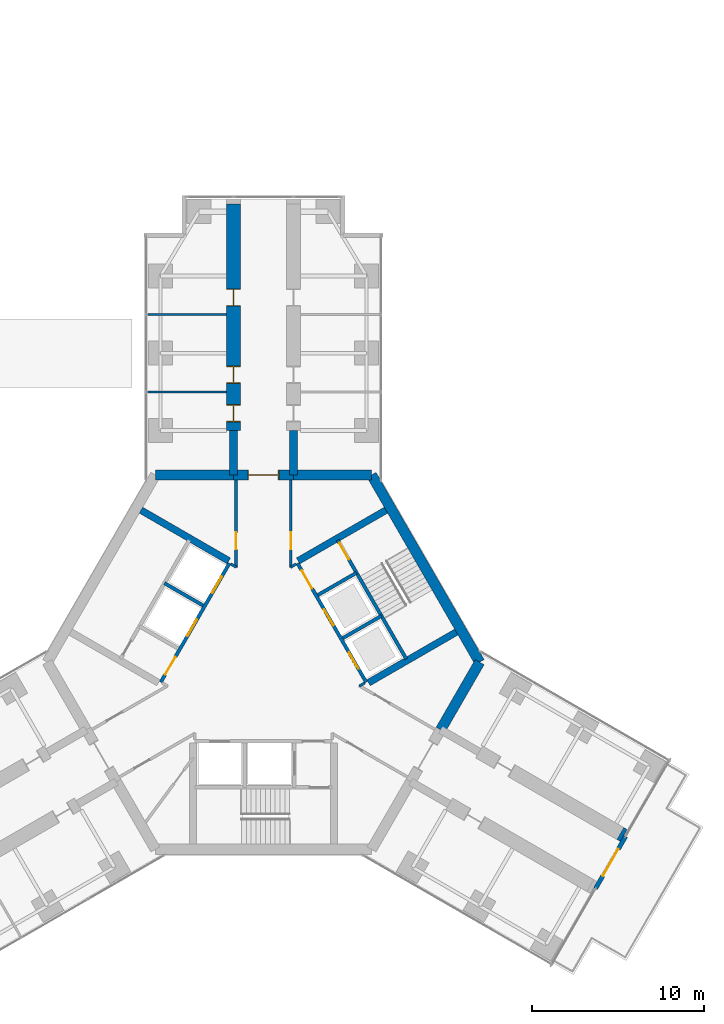
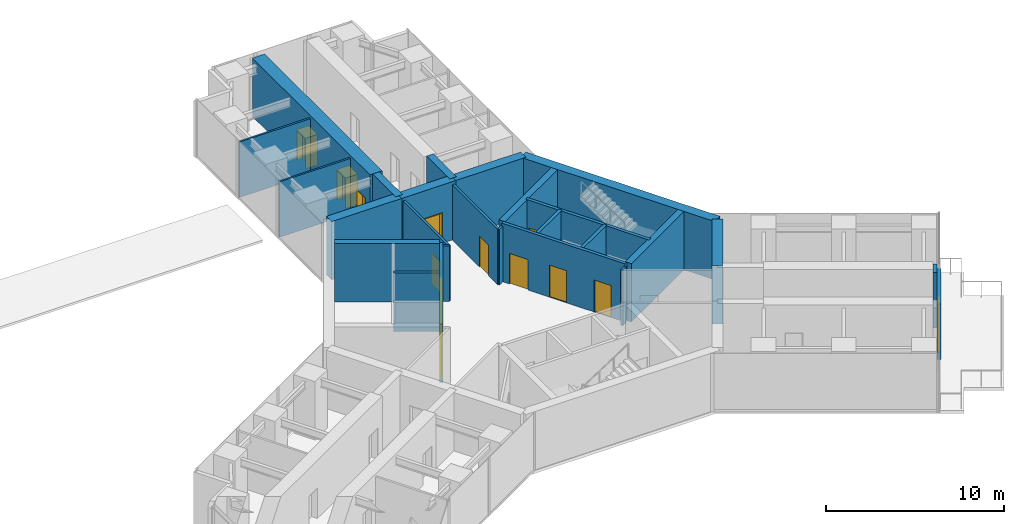
# One storey, part 19 of 22: 26 walls, 14 doors, 14 openings.
"""IFC4 building model written with IfcOpenShell, lengths in metres."""

from ifc_helpers import new_model, si_unit, direction, frame, frame_2d, origin, place, context, subcontext, project, spatial, rectangle, extrude, material, layer, layer_set, type_object, element, fill, save


model = new_model("IFC4")

# Units and contexts
model_context = context("Model", 3, precision=1e-05, world=origin(), true_north=direction((0.0, 1.0)))
body_context = subcontext(model_context, "Body", "Model", "MODEL_VIEW")
ifc_project = project(units=[si_unit("LENGTHUNIT", "METRE"), si_unit("AREAUNIT", "SQUARE_METRE"), si_unit("VOLUMEUNIT", "CUBIC_METRE"), si_unit("PLANEANGLEUNIT", "RADIAN"), si_unit("MASSUNIT", "GRAM", prefix="KILO")], contexts=[model_context])

# Site, building, storey
site_placement = place(None, origin())
site = spatial("IfcSite", under=ifc_project, at=site_placement, CompositionType="ELEMENT")
building_placement = place(site_placement, origin())
building = spatial("IfcBuilding", under=site, at=building_placement, Name="Upepo Twin Towers", CompositionType="ELEMENT")
storey_placement = place(building_placement, frame((0.0, 0.0, 97.5)))
storey = spatial("IfcBuildingStorey", under=building, at=storey_placement, Name="L23", CompositionType="ELEMENT", Elevation=97.5)

# Walls
ifc_material_1 = material(Name="Dense concrete blockwork", Category="masonry")
ifc_layer_1 = layer(ifc_material_1, 0.800048828125)
ifc_layer_set_1 = layer_set([ifc_layer_1], Name="Buttress closer 800, blockwork with fire-stopping to the curtain wall")
wall_type_1 = type_object("IfcWallType", Name="Buttress closer 800, blockwork with fire-stopping to the curtain wall", PredefinedType="PARTITIONING", material=ifc_layer_set_1)
wall_1_placement = place(storey_placement, frame((79.293701171875, -27.984375, 0.0), z_axis=(0.0, 0.0, 1.0), x_axis=(0.865896406789, -0.500223362819, 0.0)))
element("IfcWall", 1, at=wall_1_placement, inside=storey, type_object=wall_type_1, Name="T2 L23 wing C buttress closer L", PredefinedType="PARTITIONING", context=body_context, shape_type="SweptSolid", body=[
    extrude(rectangle(XDim=0.22509765625, YDim=0.800048828125, at=frame_2d((0.112548828125, 0.0))), origin(), (0.0, 0.0, 1.0), 3.800048828125),
])
ifc_material_2 = material(Name="Concrete C60/75", Category="concrete")
ifc_layer_2 = layer(ifc_material_2, 0.449951171875)
ifc_layer_set_2 = layer_set([ifc_layer_2], Name="Concrete C60/75")
wall_type_2 = type_object("IfcWallType", Name="Buttress wall 450 RC", PredefinedType="SHEAR", material=ifc_layer_set_2)
for number, where, z_axis, x_axis, name in (
    (2, (56.75, -7.091552734375, 0.0), (0.0, 0.0, 1.0), (0.0, 1.0, 0.0), "T2 wing A buttress wall L"),
    (3, (60.25, -7.091552734375, 0.0), (0.0, 0.0, 1.0), (0.0, 1.0, 0.0), "T2 wing A buttress wall R"),
):
    element("IfcWall", number, at=place(storey_placement, frame(where, z_axis=z_axis, x_axis=x_axis)), inside=storey, type_object=wall_type_2, Name=name, PredefinedType="SHEAR", context=body_context, shape_type="SweptSolid", body=[
        extrude(rectangle(XDim=2.591552734375, YDim=0.449951171875, at=frame_2d((1.2958984375, 0.0))), origin(), (0.0, 0.0, 1.0), 4.0),
    ])

# Wall, openings, doors
ifc_material_3 = material(Name="Concrete C60/75", Category="concrete")
ifc_layer_3 = layer(ifc_material_3, 0.800048828125)
ifc_layer_set_3 = layer_set([ifc_layer_3], Name="Concrete C60/75")
wall_type_3 = type_object("IfcWallType", Name="Buttress wall 800 RC", PredefinedType="SHEAR", material=ifc_layer_set_3)
wall_2_placement = place(storey_placement, frame((56.75, -4.5, 0.0), z_axis=(0.0, 0.0, 1.0), x_axis=(0.0, 1.0, 0.0)))
wall_2 = element("IfcWall", 4, at=wall_2_placement, inside=storey, type_object=wall_type_3, Name="T2 wing A buttress wall L part 2", PredefinedType="SHEAR", context=body_context, shape_type="SweptSolid", body=[
    extrude(rectangle(XDim=13.199951171875, YDim=0.800048828125, at=frame_2d((6.60009765625, 0.0))), origin(), (0.0, 0.0, 1.0), 4.0),
])
opening_1_placement = place(wall_2_placement, frame((0.5, 0.0, 0.0)))
opening_1 = element("IfcOpeningElement", 5, at=opening_1_placement, cuts=wall_2, Name="Opening D15", PredefinedType="OPENING", context=body_context, shape_type="SweptSolid", body=[
    extrude(rectangle(XDim=1.0, YDim=2.10009765625, at=frame_2d((0.5, 1.050048828125))), frame((0.0, 0.409912109375, 0.0), z_axis=(0.0, -1.0, 0.0), x_axis=(1.0, 0.0, 0.0)), (0.0, 0.0, 1.0), 0.820068359375),
])
opening_2_placement = place(wall_2_placement, frame((2.75, 0.0, 0.0)))
opening_2 = element("IfcOpeningElement", 6, at=opening_2_placement, cuts=wall_2, Name="Opening D15", PredefinedType="OPENING", context=body_context, shape_type="SweptSolid", body=[
    extrude(rectangle(XDim=1.0, YDim=2.10009765625, at=frame_2d((0.5, 1.050048828125))), frame((0.0, 0.409912109375, 0.0), z_axis=(0.0, -1.0, 0.0), x_axis=(1.0, 0.0, 0.0)), (0.0, 0.0, 1.0), 0.820068359375),
])
opening_3_placement = place(wall_2_placement, frame((7.25, 0.0, 0.0)))
opening_3 = element("IfcOpeningElement", 7, at=opening_3_placement, cuts=wall_2, Name="Opening D15", PredefinedType="OPENING", context=body_context, shape_type="SweptSolid", body=[
    extrude(rectangle(XDim=1.0, YDim=2.10009765625, at=frame_2d((0.5, 1.050048828125))), frame((0.0, 0.409912109375, 0.0), z_axis=(0.0, -1.0, 0.0), x_axis=(1.0, 0.0, 0.0)), (0.0, 0.0, 1.0), 0.820068359375),
])
ifc_material_4 = material(Name="Timber doorset", Category="wood")
door_type_1 = type_object("IfcDoorType", Name="Glazed door 1000 FD30", OperationType="SINGLE_SWING_LEFT", PredefinedType="DOOR", material=ifc_material_4)
door_1_placement = place(opening_1_placement, origin())
door_1 = element("IfcDoor", 8, at=door_1_placement, inside=storey, type_object=door_type_1, Name="T2 L23 faculty office door", OperationType="SINGLE_SWING_LEFT", OverallHeight=2.10009765625, OverallWidth=1.0, PredefinedType="DOOR", context=body_context, shape_type="SweptSolid", body=[
    extrude(rectangle(XDim=0.92, YDim=2.06009765625, at=frame_2d((0.5, 1.030029296875))), frame((0.0, 0.02490234375, 0.0), z_axis=(0.0, -1.0, 0.0), x_axis=(1.0, 0.0, 0.0)), (0.0, 0.0, 1.0), 0.050048828125),
    extrude(rectangle(XDim=0.04, YDim=2.10009765625, at=frame_2d((0.02001953125, 1.050048828125))), frame((0.0, 0.39990234375, 0.0), z_axis=(0.0, -1.0, 0.0), x_axis=(1.0, 0.0, 0.0)), (0.0, 0.0, 1.0), 0.799560546875),
    extrude(rectangle(XDim=0.04, YDim=2.10009765625, at=frame_2d((0.97998046875, 1.050048828125))), frame((0.0, 0.39990234375, 0.0), z_axis=(0.0, -1.0, 0.0), x_axis=(1.0, 0.0, 0.0)), (0.0, 0.0, 1.0), 0.799560546875),
    extrude(rectangle(XDim=0.92, YDim=0.04, at=frame_2d((0.5, 2.080078125))), frame((0.0, 0.39990234375, 0.0), z_axis=(0.0, -1.0, 0.0), x_axis=(1.0, 0.0, 0.0)), (0.0, 0.0, 1.0), 0.799560546875),
])
fill(opening_1, door_1)
door_2_placement = place(opening_2_placement, origin())
door_2 = element("IfcDoor", 9, at=door_2_placement, inside=storey, type_object=door_type_1, Name="T2 L23 faculty office door", OperationType="SINGLE_SWING_LEFT", OverallHeight=2.10009765625, OverallWidth=1.0, PredefinedType="DOOR", context=body_context, shape_type="SweptSolid", body=[
    extrude(rectangle(XDim=0.92, YDim=2.06009765625, at=frame_2d((0.5, 1.030029296875))), frame((0.0, 0.02490234375, 0.0), z_axis=(0.0, -1.0, 0.0), x_axis=(1.0, 0.0, 0.0)), (0.0, 0.0, 1.0), 0.050048828125),
    extrude(rectangle(XDim=0.04, YDim=2.10009765625, at=frame_2d((0.02001953125, 1.050048828125))), frame((0.0, 0.39990234375, 0.0), z_axis=(0.0, -1.0, 0.0), x_axis=(1.0, 0.0, 0.0)), (0.0, 0.0, 1.0), 0.799560546875),
    extrude(rectangle(XDim=0.04, YDim=2.10009765625, at=frame_2d((0.97998046875, 1.050048828125))), frame((0.0, 0.39990234375, 0.0), z_axis=(0.0, -1.0, 0.0), x_axis=(1.0, 0.0, 0.0)), (0.0, 0.0, 1.0), 0.799560546875),
    extrude(rectangle(XDim=0.92, YDim=0.04, at=frame_2d((0.5, 2.080078125))), frame((0.0, 0.39990234375, 0.0), z_axis=(0.0, -1.0, 0.0), x_axis=(1.0, 0.0, 0.0)), (0.0, 0.0, 1.0), 0.799560546875),
])
fill(opening_2, door_2)
door_3_placement = place(opening_3_placement, origin())
door_3 = element("IfcDoor", 10, at=door_3_placement, inside=storey, type_object=door_type_1, Name="T2 L23 faculty office door", OperationType="SINGLE_SWING_RIGHT", OverallHeight=2.10009765625, OverallWidth=1.0, PredefinedType="DOOR", context=body_context, shape_type="SweptSolid", body=[
    extrude(rectangle(XDim=0.92, YDim=2.06009765625, at=frame_2d((0.5, 1.030029296875))), frame((0.0, 0.02490234375, 0.0), z_axis=(0.0, -1.0, 0.0), x_axis=(1.0, 0.0, 0.0)), (0.0, 0.0, 1.0), 0.050048828125),
    extrude(rectangle(XDim=0.04, YDim=2.10009765625, at=frame_2d((0.02001953125, 1.050048828125))), frame((0.0, 0.39990234375, 0.0), z_axis=(0.0, -1.0, 0.0), x_axis=(1.0, 0.0, 0.0)), (0.0, 0.0, 1.0), 0.799560546875),
    extrude(rectangle(XDim=0.04, YDim=2.10009765625, at=frame_2d((0.97998046875, 1.050048828125))), frame((0.0, 0.39990234375, 0.0), z_axis=(0.0, -1.0, 0.0), x_axis=(1.0, 0.0, 0.0)), (0.0, 0.0, 1.0), 0.799560546875),
    extrude(rectangle(XDim=0.92, YDim=0.04, at=frame_2d((0.5, 2.080078125))), frame((0.0, 0.39990234375, 0.0), z_axis=(0.0, -1.0, 0.0), x_axis=(1.0, 0.0, 0.0)), (0.0, 0.0, 1.0), 0.799560546875),
])
fill(opening_3, door_3)

# Wall
ifc_material_5 = material(Name="Concrete C60/75", Category="concrete")
ifc_layer_4 = layer(ifc_material_5, 0.60009765625)
ifc_layer_set_4 = layer_set([ifc_layer_4], Name="Concrete C60/75")
wall_type_4 = type_object("IfcWallType", Name="Core wall 600 RC", PredefinedType="SHEAR", material=ifc_layer_set_4)
wall_3_placement = place(storey_placement, frame((64.7978515625, -7.091552734375, 0.0), z_axis=(0.0, 0.0, 1.0), x_axis=(-1.0, 0.0, 0.0)))
element("IfcWall", 11, at=wall_3_placement, inside=storey, type_object=wall_type_4, Name="T2 core wall 000 R", PredefinedType="SHEAR", context=body_context, shape_type="SweptSolid", body=[
    extrude(rectangle(XDim=4.5478515625, YDim=0.60009765625, at=frame_2d((2.27392578125, 0.0))), origin(), (0.0, 0.0, 1.0), 4.0),
])

# Wall, opening, door
wall_4_placement = place(storey_placement, frame((60.25, -7.091552734375, 0.0), z_axis=(0.0, 0.0, 1.0), x_axis=(-1.0, 0.0, 0.0)))
wall_4 = element("IfcWall", 12, at=wall_4_placement, inside=storey, type_object=wall_type_4, Name="T2 core wall 000", PredefinedType="SHEAR", context=body_context, shape_type="SweptSolid", body=[
    extrude(rectangle(XDim=3.5, YDim=0.60009765625, at=frame_2d((1.75, 0.0))), origin(), (0.0, 0.0, 1.0), 4.0),
])
opening_4_placement = place(wall_4_placement, frame((0.85009765625, 0.0, 0.0)))
opening_4 = element("IfcOpeningElement", 13, at=opening_4_placement, cuts=wall_4, Name="Opening D2", PredefinedType="OPENING", context=body_context, shape_type="SweptSolid", body=[
    extrude(rectangle(XDim=1.800048828125, YDim=2.10009765625, at=frame_2d((0.89990234375, 1.050048828125))), frame((0.0, 0.31005859375, 0.0), z_axis=(0.0, -1.0, 0.0), x_axis=(1.0, 0.0, 0.0)), (0.0, 0.0, 1.0), 0.6201171875),
])
ifc_material_6 = material(Name="Timber doorset", Category="wood")
door_type_2 = type_object("IfcDoorType", Name="Corridor double door 1800 FD60", OperationType="DOUBLE_DOOR_DOUBLE_SWING", PredefinedType="DOOR", material=ifc_material_6)
door_4_placement = place(opening_4_placement, origin())
door_4 = element("IfcDoor", 14, at=door_4_placement, inside=storey, type_object=door_type_2, Name="T2 L23 wing A corridor door", OperationType="DOUBLE_DOOR_DOUBLE_SWING", OverallHeight=2.10009765625, OverallWidth=1.800048828125, PredefinedType="DOOR", context=body_context, shape_type="SweptSolid", body=[
    extrude(rectangle(XDim=1.720048828125, YDim=2.06009765625, at=frame_2d((0.89990234375, 1.030029296875))), frame((0.0, 0.02490234375, 0.0), z_axis=(0.0, -1.0, 0.0), x_axis=(1.0, 0.0, 0.0)), (0.0, 0.0, 1.0), 0.050048828125),
    extrude(rectangle(XDim=0.04, YDim=2.10009765625, at=frame_2d((0.02001953125, 1.050048828125))), frame((0.0, 0.2998046875, 0.0), z_axis=(0.0, -1.0, 0.0), x_axis=(1.0, 0.0, 0.0)), (0.0, 0.0, 1.0), 0.599609375),
    extrude(rectangle(XDim=0.04, YDim=2.10009765625, at=frame_2d((1.780029296875, 1.050048828125))), frame((0.0, 0.2998046875, 0.0), z_axis=(0.0, -1.0, 0.0), x_axis=(1.0, 0.0, 0.0)), (0.0, 0.0, 1.0), 0.599609375),
    extrude(rectangle(XDim=1.720048828125, YDim=0.04, at=frame_2d((0.89990234375, 2.080078125))), frame((0.0, 0.2998046875, 0.0), z_axis=(0.0, -1.0, 0.0), x_axis=(1.0, 0.0, 0.0)), (0.0, 0.0, 1.0), 0.599609375),
])
fill(opening_4, door_4)

# Walls
wall_5_placement = place(storey_placement, frame((56.75, -7.091552734375, 0.0), z_axis=(0.0, 0.0, 1.0), x_axis=(-1.0, 0.0, 0.0)))
element("IfcWall", 15, at=wall_5_placement, inside=storey, type_object=wall_type_4, Name="T2 core wall 000 L", PredefinedType="SHEAR", context=body_context, shape_type="SweptSolid", body=[
    extrude(rectangle(XDim=4.5478515625, YDim=0.60009765625, at=frame_2d((2.27392578125, 0.0))), origin(), (0.0, 0.0, 1.0), 4.0),
])
wall_6_placement = place(storey_placement, frame((68.82177734375, -21.938720703125, 0.0), z_axis=(0.0, 0.0, 1.0), x_axis=(0.500024481964, 0.866011268655, 0.0)))
element("IfcWall", 16, at=wall_6_placement, inside=storey, type_object=wall_type_4, Name="T2 core wall 240 L", PredefinedType="SHEAR", context=body_context, shape_type="SweptSolid", body=[
    extrude(rectangle(XDim=4.548095703125, YDim=0.60009765625, at=frame_2d((2.27392578125, 0.0))), origin(), (0.0, 0.0, 1.0), 4.0),
])
wall_7_placement = place(storey_placement, frame((71.095947265625, -18.0, 0.0), z_axis=(0.0, 0.0, 1.0), x_axis=(-0.500005998175, 0.866021940709, 0.0)))
element("IfcWall", 17, at=wall_7_placement, inside=storey, type_object=wall_type_4, Name="T2 core wall 300", PredefinedType="SHEAR", context=body_context, shape_type="SweptSolid", body=[
    extrude(rectangle(XDim=12.595947265625, YDim=0.60009765625, at=frame_2d((6.2978515625, 0.0))), origin(), (0.0, 0.0, 1.0), 4.0),
])
ifc_material_7 = material(Name="Laminated glass in an aluminium frame", Category="aluminium")
ifc_layer_5 = layer(ifc_material_7, 0.1201171875)
ifc_layer_set_5 = layer_set([ifc_layer_5], Name="Glazed partition 120, aluminium framed")
wall_type_5 = type_object("IfcWallType", Name="Glazed partition 120, aluminium framed", PredefinedType="PARTITIONING", material=ifc_layer_set_5)
for number, where, z_axis, x_axis, name in (
    (18, (56.35009765625, -2.25, 0.0), (0.0, 0.0, 1.0), (-1.0, 0.0, 0.0), "T2 partition AL at 15.75"),
    (19, (56.35009765625, 2.25, 0.0), (0.0, 0.0, 1.0), (-1.0, 0.0, 0.0), "T2 partition AL at 20.25"),
):
    element("IfcWall", number, at=place(storey_placement, frame(where, z_axis=z_axis, x_axis=x_axis)), inside=storey, type_object=wall_type_5, Name=name, PredefinedType="PARTITIONING", context=body_context, shape_type="SweptSolid", body=[
        extrude(rectangle(XDim=4.60009765625, YDim=0.1201171875, at=frame_2d((2.300048828125, 0.0))), origin(), (0.0, 0.0, 1.0), 3.800048828125),
    ])

# Wall, opening, door
ifc_material_8 = material(Name="Blockwork with anodised aluminium cladding", Category="masonry")
ifc_layer_6 = layer(ifc_material_8, 0.25)
ifc_layer_set_6 = layer_set([ifc_layer_6], Name="Notch cladding wall 250, pale metal")
wall_type_6 = type_object("IfcWallType", Name="Notch cladding wall 250, pale metal", PredefinedType="STANDARD", material=ifc_layer_set_6)
wall_8_placement = place(storey_placement, frame((77.8466796875, -31.1904296875, 0.0), z_axis=(0.0, 0.0, 1.0), x_axis=(0.500010275428, 0.866019471182, 0.0)))
wall_8 = element("IfcWall", 20, at=wall_8_placement, inside=storey, type_object=wall_type_6, Name="T2 L23 wing C nose wall", PredefinedType="STANDARD", context=body_context, shape_type="SweptSolid", body=[
    extrude(rectangle(XDim=3.5, YDim=0.25, at=frame_2d((1.75, 0.0))), origin(), (0.0, 0.0, 1.0), 3.800048828125),
])
opening_5_placement = place(wall_8_placement, frame((0.85009765625, 0.0, 0.0)))
opening_5 = element("IfcOpeningElement", 21, at=opening_5_placement, cuts=wall_8, Name="Opening D5", PredefinedType="OPENING", context=body_context, shape_type="SweptSolid", body=[
    extrude(rectangle(XDim=1.800048828125, YDim=2.39990234375, at=frame_2d((0.89990234375, 1.199951171875))), frame((0.0, 0.135009765625, 0.0), z_axis=(0.0, -1.0, 0.0), x_axis=(1.0, 0.0, 0.0)), (0.0, 0.0, 1.0), 0.27001953125),
])
ifc_material_9 = material(Name="Aluminium glazed doorset", Category="aluminium")
door_type_3 = type_object("IfcDoorType", Name="Terrace door 1800 glazed", OperationType="DOUBLE_DOOR_DOUBLE_SWING", PredefinedType="DOOR", material=ifc_material_9)
door_5_placement = place(opening_5_placement, origin())
door_5 = element("IfcDoor", 22, at=door_5_placement, inside=storey, type_object=door_type_3, Name="T2 L23 wing C terrace door", OperationType="DOUBLE_DOOR_DOUBLE_SWING", OverallHeight=2.39990234375, OverallWidth=1.800048828125, PredefinedType="DOOR", context=body_context, shape_type="SweptSolid", body=[
    extrude(rectangle(XDim=1.800048828125, YDim=2.39990234375, at=frame_2d((0.89990234375, 1.199951171875))), frame((0.0, 0.02490234375, 0.0), z_axis=(0.0, -1.0, 0.0), x_axis=(1.0, 0.0, 0.0)), (0.0, 0.0, 1.0), 0.050048828125),
])
fill(opening_5, door_5)

# Wall, openings, doors
ifc_material_10 = material(Name="Concrete C40/50", Category="concrete")
ifc_layer_7 = layer(ifc_material_10, 0.199951171875)
ifc_layer_set_7 = layer_set([ifc_layer_7], Name="Concrete C40/50")
wall_type_7 = type_object("IfcWallType", Name="Shaft wall 200 RC", PredefinedType="SHEAR", material=ifc_layer_set_7)
wall_9_placement = place(storey_placement, frame((56.516357421875, -12.23583984375, 0.0), z_axis=(0.0, 0.0, 1.0), x_axis=(-0.49999894854, -0.866026010844, 0.0)))
wall_9 = element("IfcWall", 23, at=wall_9_placement, inside=storey, type_object=wall_type_7, Name="T2 core W60 front wall", PredefinedType="SHEAR", context=body_context, shape_type="SweptSolid", body=[
    extrude(rectangle(XDim=8.0, YDim=0.199951171875, at=frame_2d((4.0, 0.0))), origin(), (0.0, 0.0, 1.0), 4.0),
])
opening_6_placement = place(wall_9_placement, frame((6.300048828125, 0.0, 0.0)))
opening_6 = element("IfcOpeningElement", 24, at=opening_6_placement, cuts=wall_9, Name="Opening D4", PredefinedType="OPENING", context=body_context, shape_type="SweptSolid", body=[
    extrude(rectangle(XDim=1.199951171875, YDim=2.10009765625, at=frame_2d((0.60009765625, 1.050048828125))), frame((0.0, 0.10986328125, 0.0), z_axis=(0.0, -1.0, 0.0), x_axis=(1.0, 0.0, 0.0)), (0.0, 0.0, 1.0), 0.219970703125),
])
opening_7_placement = place(wall_9_placement, frame((0.89990234375, 0.0, 0.0)))
opening_7 = element("IfcOpeningElement", 25, at=opening_7_placement, cuts=wall_9, Name="Opening LD1", PredefinedType="OPENING", context=body_context, shape_type="SweptSolid", body=[
    extrude(rectangle(XDim=1.10009765625, YDim=2.199951171875, at=frame_2d((0.550048828125, 1.10009765625))), frame((0.0, 0.10986328125, 0.0), z_axis=(0.0, -1.0, 0.0), x_axis=(1.0, 0.0, 0.0)), (0.0, 0.0, 1.0), 0.219970703125),
])
opening_8_placement = place(wall_9_placement, frame((3.800048828125, 0.0, 0.0)))
opening_8 = element("IfcOpeningElement", 26, at=opening_8_placement, cuts=wall_9, Name="Opening LD1", PredefinedType="OPENING", context=body_context, shape_type="SweptSolid", body=[
    extrude(rectangle(XDim=1.10009765625, YDim=2.199951171875, at=frame_2d((0.550048828125, 1.10009765625))), frame((0.0, 0.10986328125, 0.0), z_axis=(0.0, -1.0, 0.0), x_axis=(1.0, 0.0, 0.0)), (0.0, 0.0, 1.0), 0.219970703125),
])
ifc_material_11 = material(Name="Steel doorset", Category="steel")
door_type_4 = type_object("IfcDoorType", Name="Lift landing door 1100", OperationType="DOUBLE_DOOR_SLIDING", PredefinedType="DOOR", material=ifc_material_11)
door_6_placement = place(opening_7_placement, origin())
door_6 = element("IfcDoor", 27, at=door_6_placement, inside=storey, type_object=door_type_4, Name="T2 L23 lift EX1 landing door", OperationType="DOUBLE_DOOR_SLIDING", OverallHeight=2.199951171875, OverallWidth=1.10009765625, PredefinedType="DOOR", context=body_context, shape_type="SweptSolid", body=[
    extrude(rectangle(XDim=1.10009765625, YDim=2.199951171875, at=frame_2d((0.550048828125, 1.10009765625))), frame((0.0, 0.02490234375, 0.0), z_axis=(0.0, -1.0, 0.0), x_axis=(1.0, 0.0, 0.0)), (0.0, 0.0, 1.0), 0.050048828125),
])
fill(opening_7, door_6)
door_7_placement = place(opening_8_placement, origin())
door_7 = element("IfcDoor", 28, at=door_7_placement, inside=storey, type_object=door_type_4, Name="T2 L23 lift EX2 landing door", OperationType="DOUBLE_DOOR_SLIDING", OverallHeight=2.199951171875, OverallWidth=1.10009765625, PredefinedType="DOOR", context=body_context, shape_type="SweptSolid", body=[
    extrude(rectangle(XDim=1.10009765625, YDim=2.199951171875, at=frame_2d((0.550048828125, 1.10009765625))), frame((0.0, 0.02490234375, 0.0), z_axis=(0.0, -1.0, 0.0), x_axis=(1.0, 0.0, 0.0)), (0.0, 0.0, 1.0), 0.050048828125),
])
fill(opening_8, door_7)
ifc_material_12 = material(Name="Timber doorset", Category="wood")
door_type_5 = type_object("IfcDoorType", Name="Lobby door 1200 FD60", OperationType="SINGLE_SWING_LEFT", PredefinedType="DOOR", material=ifc_material_12)
door_8_placement = place(opening_6_placement, origin())
door_8 = element("IfcDoor", 29, at=door_8_placement, inside=storey, type_object=door_type_5, Name="T2 L23 W60 lobby door", OperationType="SINGLE_SWING_RIGHT", OverallHeight=2.10009765625, OverallWidth=1.199951171875, PredefinedType="DOOR", context=body_context, shape_type="SweptSolid", body=[
    extrude(rectangle(XDim=1.199951171875, YDim=2.10009765625, at=frame_2d((0.60009765625, 1.050048828125))), frame((0.0, 0.02490234375, 0.0), z_axis=(0.0, -1.0, 0.0), x_axis=(1.0, 0.0, 0.0)), (0.0, 0.0, 1.0), 0.050048828125),
])
fill(opening_6, door_8)

# Wall
wall_10_placement = place(storey_placement, frame((54.979736328125, -14.697265625, 0.0), z_axis=(0.0, 0.0, 1.0), x_axis=(-0.866062058628, 0.499936506574, 0.0)))
element("IfcWall", 30, at=wall_10_placement, inside=storey, type_object=wall_type_7, Name="T2 core W60 shaft divider", PredefinedType="SHEAR", context=body_context, shape_type="SweptSolid", body=[
    extrude(rectangle(XDim=2.599853515625, YDim=0.199951171875, at=frame_2d((1.2998046875, 0.0))), origin(), (0.0, 0.0, 1.0), 4.0),
])

# Wall, openings, doors
wall_11_placement = place(storey_placement, frame((64.483642578125, -19.1640625, 0.0), z_axis=(0.0, 0.0, 1.0), x_axis=(-0.49999894854, 0.866026010844, 0.0)))
wall_11 = element("IfcWall", 31, at=wall_11_placement, inside=storey, type_object=wall_type_7, Name="T2 core W300 front wall", PredefinedType="SHEAR", context=body_context, shape_type="SweptSolid", body=[
    extrude(rectangle(XDim=8.0, YDim=0.199951171875, at=frame_2d((4.0, 0.0))), origin(), (0.0, 0.0, 1.0), 4.0),
])
opening_9_placement = place(wall_11_placement, frame((6.300048828125, 0.0, 0.0)))
opening_9 = element("IfcOpeningElement", 32, at=opening_9_placement, cuts=wall_11, Name="Opening D4", PredefinedType="OPENING", context=body_context, shape_type="SweptSolid", body=[
    extrude(rectangle(XDim=1.199951171875, YDim=2.10009765625, at=frame_2d((0.60009765625, 1.050048828125))), frame((0.0, 0.10986328125, 0.0), z_axis=(0.0, -1.0, 0.0), x_axis=(1.0, 0.0, 0.0)), (0.0, 0.0, 1.0), 0.219970703125),
])
opening_10_placement = place(wall_11_placement, frame((0.89990234375, 0.0, 0.0)))
opening_10 = element("IfcOpeningElement", 33, at=opening_10_placement, cuts=wall_11, Name="Opening LD1", PredefinedType="OPENING", context=body_context, shape_type="SweptSolid", body=[
    extrude(rectangle(XDim=1.10009765625, YDim=2.199951171875, at=frame_2d((0.550048828125, 1.10009765625))), frame((0.0, 0.10986328125, 0.0), z_axis=(0.0, -1.0, 0.0), x_axis=(1.0, 0.0, 0.0)), (0.0, 0.0, 1.0), 0.219970703125),
])
opening_11_placement = place(wall_11_placement, frame((3.800048828125, 0.0, 0.0)))
opening_11 = element("IfcOpeningElement", 34, at=opening_11_placement, cuts=wall_11, Name="Opening LD1", PredefinedType="OPENING", context=body_context, shape_type="SweptSolid", body=[
    extrude(rectangle(XDim=1.10009765625, YDim=2.199951171875, at=frame_2d((0.550048828125, 1.10009765625))), frame((0.0, 0.10986328125, 0.0), z_axis=(0.0, -1.0, 0.0), x_axis=(1.0, 0.0, 0.0)), (0.0, 0.0, 1.0), 0.219970703125),
])
door_9_placement = place(opening_10_placement, origin())
door_9 = element("IfcDoor", 35, at=door_9_placement, inside=storey, type_object=door_type_4, Name="T2 L23 lift ML1 landing door", OperationType="DOUBLE_DOOR_SLIDING", OverallHeight=2.199951171875, OverallWidth=1.10009765625, PredefinedType="DOOR", context=body_context, shape_type="SweptSolid", body=[
    extrude(rectangle(XDim=1.10009765625, YDim=2.199951171875, at=frame_2d((0.550048828125, 1.10009765625))), frame((0.0, 0.02490234375, 0.0), z_axis=(0.0, -1.0, 0.0), x_axis=(1.0, 0.0, 0.0)), (0.0, 0.0, 1.0), 0.050048828125),
])
fill(opening_10, door_9)
door_10_placement = place(opening_11_placement, origin())
door_10 = element("IfcDoor", 36, at=door_10_placement, inside=storey, type_object=door_type_4, Name="T2 L23 lift ML2 landing door", OperationType="DOUBLE_DOOR_SLIDING", OverallHeight=2.199951171875, OverallWidth=1.10009765625, PredefinedType="DOOR", context=body_context, shape_type="SweptSolid", body=[
    extrude(rectangle(XDim=1.10009765625, YDim=2.199951171875, at=frame_2d((0.550048828125, 1.10009765625))), frame((0.0, 0.02490234375, 0.0), z_axis=(0.0, -1.0, 0.0), x_axis=(1.0, 0.0, 0.0)), (0.0, 0.0, 1.0), 0.050048828125),
])
fill(opening_11, door_10)
door_11_placement = place(opening_9_placement, origin())
door_11 = element("IfcDoor", 37, at=door_11_placement, inside=storey, type_object=door_type_5, Name="T2 L23 W300 lobby door", OperationType="SINGLE_SWING_RIGHT", OverallHeight=2.10009765625, OverallWidth=1.199951171875, PredefinedType="DOOR", context=body_context, shape_type="SweptSolid", body=[
    extrude(rectangle(XDim=1.199951171875, YDim=2.10009765625, at=frame_2d((0.60009765625, 1.050048828125))), frame((0.0, 0.02490234375, 0.0), z_axis=(0.0, -1.0, 0.0), x_axis=(1.0, 0.0, 0.0)), (0.0, 0.0, 1.0), 0.050048828125),
])
fill(opening_9, door_11)

# Walls
wall_12_placement = place(storey_placement, frame((63.120361328125, -16.6025390625, 0.0), z_axis=(0.0, 0.0, 1.0), x_axis=(0.866062058628, 0.499936506574, 0.0)))
element("IfcWall", 38, at=wall_12_placement, inside=storey, type_object=wall_type_7, Name="T2 core W300 shaft divider", PredefinedType="SHEAR", context=body_context, shape_type="SweptSolid", body=[
    extrude(rectangle(XDim=2.599853515625, YDim=0.199951171875, at=frame_2d((1.2998046875, 0.0))), origin(), (0.0, 0.0, 1.0), 4.0),
])
wall_13_placement = place(storey_placement, frame((61.67041015625, -14.091064453125, 0.0), z_axis=(0.0, 0.0, 1.0), x_axis=(0.86603858612, 0.49997716683, 0.0)))
element("IfcWall", 39, at=wall_13_placement, inside=storey, type_object=wall_type_7, Name="T2 core W300 lobby wall", PredefinedType="SHEAR", context=body_context, shape_type="SweptSolid", body=[
    extrude(rectangle(XDim=2.599609375, YDim=0.199951171875, at=frame_2d((1.2998046875, 0.0))), origin(), (0.0, 0.0, 1.0), 4.0),
])

# Wall, opening, door
wall_14_placement = place(storey_placement, frame((66.822021484375, -17.814208984375, 0.0), z_axis=(0.0, 0.0, 1.0), x_axis=(-0.49999894854, 0.866026010844, 0.0)))
wall_14 = element("IfcWall", 40, at=wall_14_placement, inside=storey, type_object=wall_type_7, Name="T2 core W300 stair wall", PredefinedType="SHEAR", context=body_context, shape_type="SweptSolid", body=[
    extrude(rectangle(XDim=8.0, YDim=0.199951171875, at=frame_2d((4.0, 0.0))), origin(), (0.0, 0.0, 1.0), 4.0),
])
opening_12_placement = place(wall_14_placement, frame((6.699951171875, 0.0, 0.0)))
opening_12 = element("IfcOpeningElement", 41, at=opening_12_placement, cuts=wall_14, Name="Opening D3", PredefinedType="OPENING", context=body_context, shape_type="SweptSolid", body=[
    extrude(rectangle(XDim=1.10009765625, YDim=2.10009765625, at=frame_2d((0.550048828125, 1.050048828125))), frame((0.0, 0.10986328125, 0.0), z_axis=(0.0, -1.0, 0.0), x_axis=(1.0, 0.0, 0.0)), (0.0, 0.0, 1.0), 0.219970703125),
])
ifc_material_13 = material(Name="Timber doorset", Category="wood")
door_type_6 = type_object("IfcDoorType", Name="Stair door 1100 FD60", OperationType="SINGLE_SWING_LEFT", PredefinedType="DOOR", material=ifc_material_13)
door_12_placement = place(opening_12_placement, origin())
door_12 = element("IfcDoor", 42, at=door_12_placement, inside=storey, type_object=door_type_6, Name="T2 L23 stair door", OperationType="SINGLE_SWING_RIGHT", OverallHeight=2.10009765625, OverallWidth=1.10009765625, PredefinedType="DOOR", context=body_context, shape_type="SweptSolid", body=[
    extrude(rectangle(XDim=1.10009765625, YDim=2.10009765625, at=frame_2d((0.550048828125, 1.050048828125))), frame((0.0, 0.02490234375, 0.0), z_axis=(0.0, -1.0, 0.0), x_axis=(1.0, 0.0, 0.0)), (0.0, 0.0, 1.0), 0.050048828125),
])
fill(opening_12, door_12)

# Walls
ifc_material_14 = material(Name="Concrete C40/50", Category="concrete")
ifc_layer_8 = layer(ifc_material_14, 0.39990234375)
ifc_layer_set_8 = layer_set([ifc_layer_8], Name="Concrete C40/50")
wall_type_8 = type_object("IfcWallType", Name="Shaft wall 400 RC", PredefinedType="SHEAR", material=ifc_layer_set_8)
for number, where, z_axis, x_axis, name in (
    (43, (56.479736328125, -12.099365234375, 0.0), (0.0, 0.0, 1.0), (-0.866009424208, 0.500027676417, 0.0), "T2 core W60 side wall S"),
    (44, (60.520263671875, -12.099365234375, 0.0), (0.0, 0.0, 1.0), (0.866009424208, 0.500027676417, 0.0), "T2 core W300 side wall N"),
):
    element("IfcWall", number, at=place(storey_placement, frame(where, z_axis=z_axis, x_axis=x_axis)), inside=storey, type_object=wall_type_8, Name=name, PredefinedType="SHEAR", context=body_context, shape_type="SweptSolid", body=[
        extrude(rectangle(XDim=5.908447265625, YDim=0.39990234375, at=frame_2d((2.9541015625, 0.0))), origin(), (0.0, 0.0, 1.0), 4.0),
    ])
wall_15_placement = place(storey_placement, frame((64.620361328125, -19.20068359375, 0.0), z_axis=(0.0, 0.0, 1.0), x_axis=(0.866027317282, 0.49999668571, 0.0)))
element("IfcWall", 45, at=wall_15_placement, inside=storey, type_object=wall_type_8, Name="T2 core W300 side wall S", PredefinedType="SHEAR", context=body_context, shape_type="SweptSolid", body=[
    extrude(rectangle(XDim=5.908203125, YDim=0.39990234375, at=frame_2d((2.9541015625, 0.0))), origin(), (0.0, 0.0, 1.0), 4.0),
])
ifc_material_15 = material(Name="Gypsum board on steel studs", Category="steel")
ifc_layer_9 = layer(ifc_material_15, 0.14990234375)
ifc_layer_set_9 = layer_set([ifc_layer_9], Name="Teaching partition 150 acoustic")
wall_type_9 = type_object("IfcWallType", Name="Teaching partition 150 acoustic", PredefinedType="PARTITIONING", material=ifc_layer_set_9)
wall_16_placement = place(storey_placement, frame((56.59423828125, -12.281005859375, 0.0), z_axis=(0.0, 0.0, 1.0), x_axis=(0.866261881104, -0.499590185398, 0.0)))
element("IfcWall", 46, at=wall_16_placement, inside=storey, type_object=wall_type_9, Name="T2 core room partition 5", PredefinedType="PARTITIONING", context=body_context, shape_type="SweptSolid", body=[
    extrude(rectangle(XDim=0.372802734375, YDim=0.14990234375, at=frame_2d((0.1865234375, 0.0))), origin(), (0.0, 0.0, 1.0), 3.800048828125),
])

# Wall, opening, door
wall_17_placement = place(storey_placement, frame((56.89990234375, -12.477294921875, 0.0), z_axis=(0.0, 0.0, 1.0), x_axis=(0.0, 1.0, 0.0)))
wall_17 = element("IfcWall", 47, at=wall_17_placement, inside=storey, type_object=wall_type_9, Name="T2 core room partition 6", PredefinedType="PARTITIONING", context=body_context, shape_type="SweptSolid", body=[
    extrude(rectangle(XDim=5.095703125, YDim=0.14990234375, at=frame_2d((2.5478515625, 0.0))), origin(), (0.0, 0.0, 1.0), 3.800048828125),
])
opening_13_placement = place(wall_17_placement, frame((1.042724609375, 0.0, 0.0)))
opening_13 = element("IfcOpeningElement", 48, at=opening_13_placement, cuts=wall_17, Name="Opening D1", PredefinedType="OPENING", context=body_context, shape_type="SweptSolid", body=[
    extrude(rectangle(XDim=1.0, YDim=2.10009765625, at=frame_2d((0.5, 1.050048828125))), frame((0.0, 0.0849609375, 0.0), z_axis=(0.0, -1.0, 0.0), x_axis=(1.0, 0.0, 0.0)), (0.0, 0.0, 1.0), 0.169921875),
])
ifc_material_16 = material(Name="Timber doorset", Category="wood")
door_type_7 = type_object("IfcDoorType", Name="Room door 1000 FD30", OperationType="SINGLE_SWING_LEFT", PredefinedType="DOOR", material=ifc_material_16)
door_13_placement = place(opening_13_placement, origin())
door_13 = element("IfcDoor", 49, at=door_13_placement, inside=storey, type_object=door_type_7, Name="T2 L23 core room door K7", OperationType="SINGLE_SWING_LEFT", OverallHeight=2.10009765625, OverallWidth=1.0, PredefinedType="DOOR", context=body_context, shape_type="SweptSolid", body=[
    extrude(rectangle(XDim=1.0, YDim=2.10009765625, at=frame_2d((0.5, 1.050048828125))), frame((0.0, 0.02490234375, 0.0), z_axis=(0.0, -1.0, 0.0), x_axis=(1.0, 0.0, 0.0)), (0.0, 0.0, 1.0), 0.050048828125),
])
fill(opening_13, door_13)

wall_18_placement = place(storey_placement, frame((60.10009765625, -7.381591796875, 0.0), z_axis=(0.0, 0.0, 1.0), x_axis=(0.0, -1.0, 0.0)))
wall_18 = element("IfcWall", 50, at=wall_18_placement, inside=storey, type_object=wall_type_9, Name="T2 core room partition 7", PredefinedType="PARTITIONING", context=body_context, shape_type="SweptSolid", body=[
    extrude(rectangle(XDim=5.095703125, YDim=0.14990234375, at=frame_2d((2.5478515625, 0.0))), origin(), (0.0, 0.0, 1.0), 3.800048828125),
])
opening_14_placement = place(wall_18_placement, frame((3.052978515625, 0.0, 0.0)))
opening_14 = element("IfcOpeningElement", 51, at=opening_14_placement, cuts=wall_18, Name="Opening D1", PredefinedType="OPENING", context=body_context, shape_type="SweptSolid", body=[
    extrude(rectangle(XDim=1.0, YDim=2.10009765625, at=frame_2d((0.5, 1.050048828125))), frame((0.0, 0.0849609375, 0.0), z_axis=(0.0, -1.0, 0.0), x_axis=(1.0, 0.0, 0.0)), (0.0, 0.0, 1.0), 0.169921875),
])
door_14_placement = place(opening_14_placement, origin())
door_14 = element("IfcDoor", 52, at=door_14_placement, inside=storey, type_object=door_type_7, Name="T2 L23 core room door K6", OperationType="SINGLE_SWING_RIGHT", OverallHeight=2.10009765625, OverallWidth=1.0, PredefinedType="DOOR", context=body_context, shape_type="SweptSolid", body=[
    extrude(rectangle(XDim=1.0, YDim=2.10009765625, at=frame_2d((0.5, 1.050048828125))), frame((0.0, 0.02490234375, 0.0), z_axis=(0.0, -1.0, 0.0), x_axis=(1.0, 0.0, 0.0)), (0.0, 0.0, 1.0), 0.050048828125),
])
fill(opening_14, door_14)

# Walls
wall_19_placement = place(storey_placement, frame((60.082763671875, -12.46728515625, 0.0), z_axis=(0.0, 0.0, 1.0), x_axis=(0.866261881104, 0.499590185398, 0.0)))
element("IfcWall", 53, at=wall_19_placement, inside=storey, type_object=wall_type_9, Name="T2 core room partition 8", PredefinedType="PARTITIONING", context=body_context, shape_type="SweptSolid", body=[
    extrude(rectangle(XDim=0.372802734375, YDim=0.14990234375, at=frame_2d((0.1865234375, 0.0))), origin(), (0.0, 0.0, 1.0), 3.800048828125),
])
wall_20_placement = place(storey_placement, frame((64.40576171875, -19.208984375, 0.0), z_axis=(0.0, 0.0, 1.0), x_axis=(-0.865978465477, -0.500081290722, 0.0)))
element("IfcWall", 54, at=wall_20_placement, inside=storey, type_object=wall_type_9, Name="T2 core room partition 9", PredefinedType="PARTITIONING", context=body_context, shape_type="SweptSolid", body=[
    extrude(rectangle(XDim=0.373046875, YDim=0.14990234375, at=frame_2d((0.1865234375, 0.0))), origin(), (0.0, 0.0, 1.0), 3.800048828125),
])

save(model, "model.ifc")
